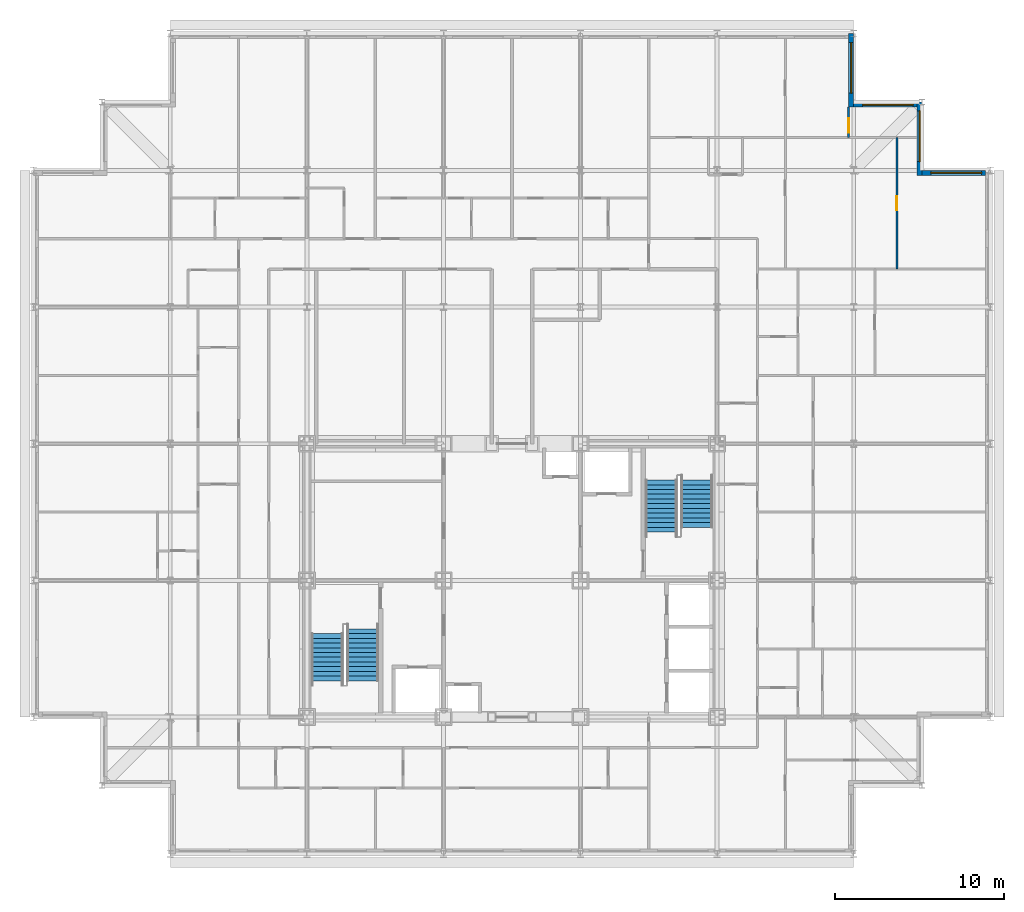
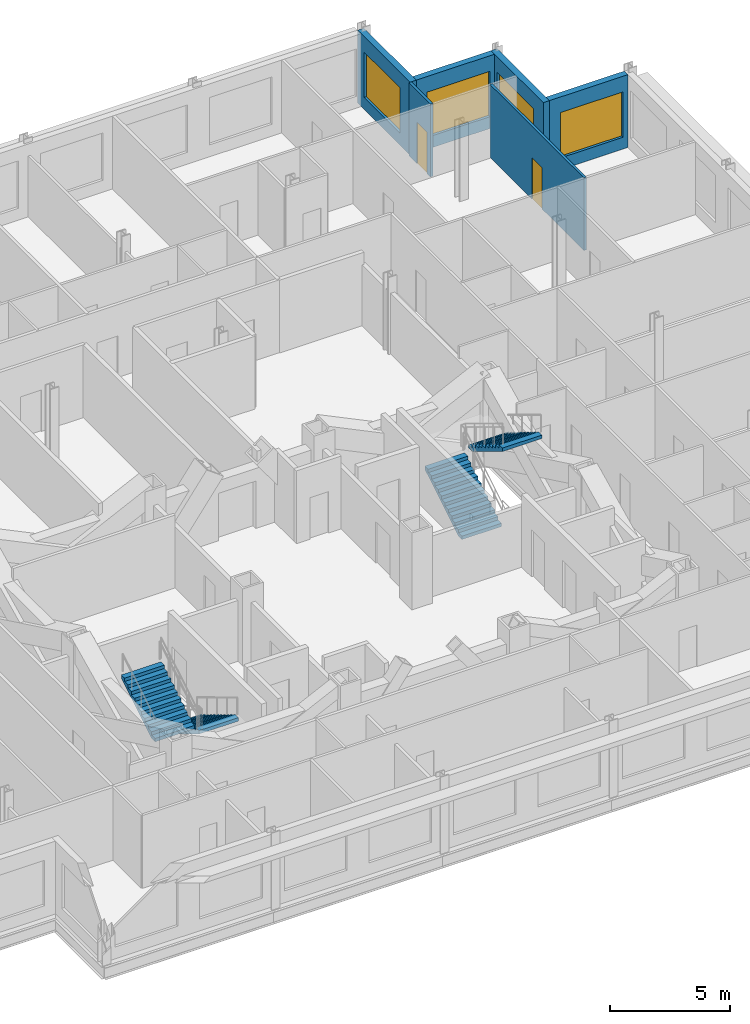
# One storey, part 14 of 15: 6 walls, 4 stair flights, 4 windows, 2 doors, 6 openings, 2 elements without a shape of their own.
"""IFC4 building model written with IfcOpenShell, lengths in metres."""

from ifc_helpers import new_model, si_unit, direction, frame, frame_2d, origin, place, context, subcontext, project, spatial, rectangle, extrude, polygons, source, transform, mapped, material, layer, layer_set, type_object, element, fill, aggregate, save


model = new_model("IFC4")

# Units and contexts
model_context = context("Model", 3, precision=1e-05, world=origin(), true_north=direction((0.0, 1.0)))
body_context = subcontext(model_context, "Body", "Model", "MODEL_VIEW")
ifc_project = project(units=[si_unit("LENGTHUNIT", "METRE"), si_unit("AREAUNIT", "SQUARE_METRE"), si_unit("VOLUMEUNIT", "CUBIC_METRE"), si_unit("PLANEANGLEUNIT", "RADIAN"), si_unit("MASSUNIT", "GRAM", prefix="KILO")], contexts=[model_context])

# Site, building, storey
site_placement = place(None, origin())
site = spatial("IfcSite", under=ifc_project, at=site_placement, CompositionType="ELEMENT")
building_placement = place(site_placement, origin())
building = spatial("IfcBuilding", under=site, at=building_placement, Name="Kopane Lantern Tower", CompositionType="ELEMENT")
storey_placement = place(building_placement, frame((0.0, 0.0, 273.60009765625)))
storey = spatial("IfcBuildingStorey", under=building, at=storey_placement, Name="L70", CompositionType="ELEMENT", Elevation=273.60009765625)

# Wall, opening, door
ifc_material_1 = material(Name="Gypsum board on steel studs", Category="steel")
ifc_layer_1 = layer(ifc_material_1, 0.1201171875)
ifc_layer_set_1 = layer_set([ifc_layer_1], Name="APARTMENT INTERNAL WALL 120")
wall_type_1 = type_object("IfcWallType", Name="APARTMENT INTERNAL WALL 120", PredefinedType="PARTITIONING", material=ifc_layer_set_1)
wall_1_placement = place(storey_placement, frame((48.300048828125, 58.64990234375, 0.0), z_axis=(0.0, 0.0, 1.0), x_axis=(0.0, 1.0, 0.0)))
wall_1 = element("IfcWall", 1, at=wall_1_placement, inside=storey, type_object=wall_type_1, Name="Apartment Internal Wall 120 L70", PredefinedType="PARTITIONING", context=body_context, shape_type="SweptSolid", body=[
    extrude(rectangle(XDim=1.800048828125, YDim=0.1201171875, at=frame_2d((0.89990234375, 0.0))), origin(), (0.0, 0.0, 1.0), 3.68994140625),
])
opening_1_placement = place(wall_1_placement, frame((0.27490234375, 0.0, 0.0)))
opening_1 = element("IfcOpeningElement", 2, at=opening_1_placement, cuts=wall_1, Name="Opening L70-065", PredefinedType="OPENING", context=body_context, shape_type="SweptSolid", body=[
    extrude(rectangle(XDim=0.85009765625, YDim=2.10009765625, at=frame_2d((0.425048828125, 1.050048828125))), frame((0.0, 0.070068359375, 0.0), z_axis=(0.0, -1.0, 0.0), x_axis=(1.0, 0.0, 0.0)), (0.0, 0.0, 1.0), 0.14013671875),
])
ifc_material_2 = material(Name="Timber door set", Category="wood")
door_type = type_object("IfcDoorType", Name="DOOR D4 850x2100", OperationType="SINGLE_SWING_LEFT", PredefinedType="DOOR", material=ifc_material_2)
door_1_placement = place(opening_1_placement, origin())
door_1 = element("IfcDoor", 3, at=door_1_placement, inside=storey, type_object=door_type, Name="Door L70-065", OperationType="SINGLE_SWING_RIGHT", OverallHeight=2.10009765625, OverallWidth=0.85009765625, PredefinedType="DOOR", context=body_context, shape_type="SweptSolid", body=[
    extrude(rectangle(XDim=0.85009765625, YDim=2.10009765625, at=frame_2d((0.425048828125, 1.050048828125))), frame((0.0, 0.02490234375, 0.0), z_axis=(0.0, -1.0, 0.0), x_axis=(1.0, 0.0, 0.0)), (0.0, 0.0, 1.0), 0.050048828125),
])
fill(opening_1, door_1)

wall_2_placement = place(storey_placement, frame((51.14990234375, 50.85009765625, 0.0), z_axis=(0.0, 0.0, 1.0), x_axis=(0.0, 1.0, 0.0)))
wall_2 = element("IfcWall", 4, at=wall_2_placement, inside=storey, type_object=wall_type_1, Name="Apartment Internal Wall 120 L70", PredefinedType="PARTITIONING", context=body_context, shape_type="SweptSolid", body=[
    extrude(rectangle(XDim=7.7998046875, YDim=0.1201171875, at=frame_2d((3.89990234375, 0.0))), origin(), (0.0, 0.0, 1.0), 3.68994140625),
])
opening_2_placement = place(wall_2_placement, frame((3.47509765625, 0.0, 0.0)))
opening_2 = element("IfcOpeningElement", 5, at=opening_2_placement, cuts=wall_2, Name="Opening L70-072", PredefinedType="OPENING", context=body_context, shape_type="SweptSolid", body=[
    extrude(rectangle(XDim=0.85009765625, YDim=2.10009765625, at=frame_2d((0.425048828125, 1.050048828125))), frame((0.0, 0.070068359375, 0.0), z_axis=(0.0, -1.0, 0.0), x_axis=(1.0, 0.0, 0.0)), (0.0, 0.0, 1.0), 0.14013671875),
])
door_2_placement = place(opening_2_placement, origin())
door_2 = element("IfcDoor", 6, at=door_2_placement, inside=storey, type_object=door_type, Name="Door L70-072", OperationType="SINGLE_SWING_RIGHT", OverallHeight=2.10009765625, OverallWidth=0.85009765625, PredefinedType="DOOR", context=body_context, shape_type="SweptSolid", body=[
    extrude(rectangle(XDim=0.85009765625, YDim=2.10009765625, at=frame_2d((0.425048828125, 1.050048828125))), frame((0.0, 0.02490234375, 0.0), z_axis=(0.0, -1.0, 0.0), x_axis=(1.0, 0.0, 0.0)), (0.0, 0.0, 1.0), 0.050048828125),
])
fill(opening_2, door_2)

# Wall, opening, window
ifc_material_3 = material(Name="Terracotta rainscreen on light steel framing", Category="masonry")
ifc_layer_2 = layer(ifc_material_3, 0.300048828125)
ifc_layer_set_2 = layer_set([ifc_layer_2], Name="EXTERNAL WALL EW1 300 TERRACOTTA")
wall_type_2 = type_object("IfcWallType", Name="EXTERNAL WALL EW1 300 TERRACOTTA", PredefinedType="SOLIDWALL", material=ifc_layer_set_2)
wall_3_placement = place(storey_placement, frame((56.39990234375, 56.550048828125, 0.0), z_axis=(0.0, 0.0, 1.0), x_axis=(-1.0, 0.0, 0.0)))
wall_3 = element("IfcWall", 7, at=wall_3_placement, inside=storey, type_object=wall_type_2, Name="External wall N L70", PredefinedType="SOLIDWALL", context=body_context, shape_type="SweptSolid", body=[
    extrude(rectangle(XDim=3.75, YDim=0.300048828125, at=frame_2d((1.875, 0.0))), origin(), (0.0, 0.0, 1.0), 3.68994140625),
])
opening_3_placement = place(wall_3_placement, frame((0.22509765625, 0.0, 0.60009765625)))
opening_3 = element("IfcOpeningElement", 8, at=opening_3_placement, cuts=wall_3, Name="Opening WR300230", PredefinedType="OPENING", context=body_context, shape_type="SweptSolid", body=[
    extrude(rectangle(XDim=3.0, YDim=2.300048828125, at=frame_2d((1.5, 1.14990234375))), frame((0.0, 0.159912109375, 0.0), z_axis=(0.0, -1.0, 0.0), x_axis=(1.0, 0.0, 0.0)), (0.0, 0.0, 1.0), 0.320068359375),
])
ifc_material_4 = material(Name="Aluminium and clear glass", Category="aluminium")
window_type = type_object("IfcWindowType", Name="RIBBON WINDOW WR300230 3000x2300", PartitioningType="SINGLE_PANEL", PredefinedType="WINDOW", material=ifc_material_4)
window_1_placement = place(opening_3_placement, origin())
window_1 = element("IfcWindow", 9, at=window_1_placement, inside=storey, type_object=window_type, Name="Window N L70", OverallHeight=2.300048828125, OverallWidth=3.0, PartitioningType="SINGLE_PANEL", PredefinedType="WINDOW", context=body_context, shape_type="SweptSolid", body=[
    extrude(rectangle(XDim=3.0, YDim=2.300048828125, at=frame_2d((1.5, 1.14990234375))), frame((0.0, 0.030029296875, 0.0), z_axis=(0.0, -1.0, 0.0), x_axis=(1.0, 0.0, 0.0)), (0.0, 0.0, 1.0), 0.06005859375),
])
fill(opening_3, window_1)

wall_4_placement = place(storey_placement, frame((52.5, 56.39990234375, 0.0), z_axis=(0.0, 0.0, 1.0), x_axis=(0.0, 1.0, 0.0)))
wall_4 = element("IfcWall", 10, at=wall_4_placement, inside=storey, type_object=wall_type_2, Name="External wall E L70", PredefinedType="SOLIDWALL", context=body_context, shape_type="SweptSolid", body=[
    extrude(rectangle(XDim=4.35009765625, YDim=0.300048828125, at=frame_2d((2.175048828125, 0.0))), origin(), (0.0, 0.0, 1.0), 3.68994140625),
])
opening_4_placement = place(wall_4_placement, frame((0.824951171875, 0.0, 0.60009765625)))
opening_4 = element("IfcOpeningElement", 11, at=opening_4_placement, cuts=wall_4, Name="Opening WR300230", PredefinedType="OPENING", context=body_context, shape_type="SweptSolid", body=[
    extrude(rectangle(XDim=3.0, YDim=2.300048828125, at=frame_2d((1.5, 1.14990234375))), frame((0.0, 0.159912109375, 0.0), z_axis=(0.0, -1.0, 0.0), x_axis=(1.0, 0.0, 0.0)), (0.0, 0.0, 1.0), 0.320068359375),
])
window_2_placement = place(opening_4_placement, origin())
window_2 = element("IfcWindow", 12, at=window_2_placement, inside=storey, type_object=window_type, Name="Window E L70", OverallHeight=2.300048828125, OverallWidth=3.0, PartitioningType="SINGLE_PANEL", PredefinedType="WINDOW", context=body_context, shape_type="SweptSolid", body=[
    extrude(rectangle(XDim=3.0, YDim=2.300048828125, at=frame_2d((1.5, 1.14990234375))), frame((0.0, 0.030029296875, 0.0), z_axis=(0.0, -1.0, 0.0), x_axis=(1.0, 0.0, 0.0)), (0.0, 0.0, 1.0), 0.06005859375),
])
fill(opening_4, window_2)

wall_5_placement = place(storey_placement, frame((52.35009765625, 60.60009765625, 0.0), z_axis=(0.0, 0.0, 1.0), x_axis=(-1.0, 0.0, 0.0)))
wall_5 = element("IfcWall", 13, at=wall_5_placement, inside=storey, type_object=wall_type_2, Name="External wall N L70", PredefinedType="SOLIDWALL", context=body_context, shape_type="SweptSolid", body=[
    extrude(rectangle(XDim=3.75, YDim=0.300048828125, at=frame_2d((1.875, 0.0))), origin(), (0.0, 0.0, 1.0), 3.68994140625),
])
opening_5_placement = place(wall_5_placement, frame((0.22509765625, 0.0, 0.60009765625)))
opening_5 = element("IfcOpeningElement", 14, at=opening_5_placement, cuts=wall_5, Name="Opening WR300230", PredefinedType="OPENING", context=body_context, shape_type="SweptSolid", body=[
    extrude(rectangle(XDim=3.0, YDim=2.300048828125, at=frame_2d((1.5, 1.14990234375))), frame((0.0, 0.159912109375, 0.0), z_axis=(0.0, -1.0, 0.0), x_axis=(1.0, 0.0, 0.0)), (0.0, 0.0, 1.0), 0.320068359375),
])
window_3_placement = place(opening_5_placement, origin())
window_3 = element("IfcWindow", 15, at=window_3_placement, inside=storey, type_object=window_type, Name="Window N L70", OverallHeight=2.300048828125, OverallWidth=3.0, PartitioningType="SINGLE_PANEL", PredefinedType="WINDOW", context=body_context, shape_type="SweptSolid", body=[
    extrude(rectangle(XDim=3.0, YDim=2.300048828125, at=frame_2d((1.5, 1.14990234375))), frame((0.0, 0.030029296875, 0.0), z_axis=(0.0, -1.0, 0.0), x_axis=(1.0, 0.0, 0.0)), (0.0, 0.0, 1.0), 0.06005859375),
])
fill(opening_5, window_3)

wall_6_placement = place(storey_placement, frame((48.449951171875, 60.449951171875, 0.0), z_axis=(0.0, 0.0, 1.0), x_axis=(0.0, 1.0, 0.0)))
wall_6 = element("IfcWall", 16, at=wall_6_placement, inside=storey, type_object=wall_type_2, Name="External wall E L70", PredefinedType="SOLIDWALL", context=body_context, shape_type="SweptSolid", body=[
    extrude(rectangle(XDim=4.35009765625, YDim=0.300048828125, at=frame_2d((2.175048828125, 0.0))), origin(), (0.0, 0.0, 1.0), 3.68994140625),
])
opening_6_placement = place(wall_6_placement, frame((0.824951171875, 0.0, 0.60009765625)))
opening_6 = element("IfcOpeningElement", 17, at=opening_6_placement, cuts=wall_6, Name="Opening WR300230", PredefinedType="OPENING", context=body_context, shape_type="SweptSolid", body=[
    extrude(rectangle(XDim=3.0, YDim=2.300048828125, at=frame_2d((1.5, 1.14990234375))), frame((0.0, 0.159912109375, 0.0), z_axis=(0.0, -1.0, 0.0), x_axis=(1.0, 0.0, 0.0)), (0.0, 0.0, 1.0), 0.320068359375),
])
window_4_placement = place(opening_6_placement, origin())
window_4 = element("IfcWindow", 18, at=window_4_placement, inside=storey, type_object=window_type, Name="Window E L70", OverallHeight=2.300048828125, OverallWidth=3.0, PartitioningType="SINGLE_PANEL", PredefinedType="WINDOW", context=body_context, shape_type="SweptSolid", body=[
    extrude(rectangle(XDim=3.0, YDim=2.300048828125, at=frame_2d((1.5, 1.14990234375))), frame((0.0, 0.030029296875, 0.0), z_axis=(0.0, -1.0, 0.0), x_axis=(1.0, 0.0, 0.0)), (0.0, 0.0, 1.0), 0.06005859375),
])
fill(opening_6, window_4)

# Stair, stair flight
ifc_material_5 = material(Name="Steel S355JR", Category="steel")
stair_type = type_object("IfcStairType", Name="EXIT STAIR 1900 HALF TURN", PredefinedType="HALF_TURN_STAIR", material=ifc_material_5)
stair_1_placement = place(storey_placement, origin())
stair_1 = element("IfcStair", 19, at=stair_1_placement, inside=storey, type_object=stair_type, Name="Exit stair ST1 L70", PredefinedType="HALF_TURN_STAIR")
ifc_material_6 = material(Name="Steel S355JR", Category="steel")
stair_flight_type = type_object("IfcStairFlightType", Name="STAIR FLIGHT 1900 STEEL", PredefinedType="STRAIGHT", material=ifc_material_6)
shared_shape_1 = source(origin(), body_context, "Body", "Tessellation", [
    polygons([(3.080078125, 0.949951172, 1.865234375), (2.800048828, 0.949951172, 1.865234375), (2.800048828, -0.949951172, 1.865234375), (3.080078125, -0.949951172, 1.865234375), (0.289306641, 0.949951172, 0.0), (3.080078125, 0.949951172, 1.689941406), (3.080078125, -0.949951172, 1.689941406), (0.289306641, -0.949951172, 0.0), (0.0, 0.949951172, 0.0), (0.0, -0.949951172, 0.0), (0.280029297, 0.949951172, 0.169677734), (0.0, 0.949951172, 0.169677734), (0.0, -0.949951172, 0.169677734), (0.280029297, -0.949951172, 0.169677734), (0.280029297, 0.949951172, 0.339111328), (0.280029297, -0.949951172, 0.339111328), (0.560058594, 0.949951172, 0.339111328), (0.560058594, -0.949951172, 0.339111328), (0.560058594, 0.949951172, 0.508789062), (0.560058594, -0.949951172, 0.508789062), (0.840087891, 0.949951172, 0.508789062), (0.840087891, -0.949951172, 0.508789062), (0.840087891, 0.949951172, 0.678222656), (0.840087891, -0.949951172, 0.678222656), (1.120117188, 0.949951172, 0.678222656), (1.120117188, -0.949951172, 0.678222656), (1.120117188, 0.949951172, 0.847900391), (1.120117188, -0.949951172, 0.847900391), (1.399902344, 0.949951172, 0.847900391), (1.399902344, -0.949951172, 0.847900391), (1.399902344, 0.949951172, 1.017333984), (1.399902344, -0.949951172, 1.017333984), (1.679931641, 0.949951172, 1.017333984), (1.679931641, -0.949951172, 1.017333984), (1.679931641, 0.949951172, 1.187011719), (1.679931641, -0.949951172, 1.187011719), (1.959960938, 0.949951172, 1.187011719), (1.959960938, -0.949951172, 1.187011719), (1.959960938, 0.949951172, 1.356445312), (1.959960938, -0.949951172, 1.356445312), (2.239990234, 0.949951172, 1.356445312), (2.239990234, -0.949951172, 1.356445312), (2.239990234, 0.949951172, 1.526123047), (2.239990234, -0.949951172, 1.526123047), (2.520019531, 0.949951172, 1.526123047), (2.520019531, -0.949951172, 1.526123047), (2.520019531, 0.949951172, 1.695556641), (2.520019531, -0.949951172, 1.695556641), (2.800048828, 0.949951172, 1.695556641), (2.800048828, -0.949951172, 1.695556641), (0.0, 0.0, 0.004585885), (0.0, 0.0, 0.009171769), (0.0, 0.0, 0.013757654), (0.0, 0.0, 0.018343539), (0.0, 0.0, 0.022929424), (0.0, 0.0, 0.027515308), (0.0, 0.0, 0.032101193), (0.0, 0.0, 0.036687078), (0.0, 0.0, 0.041272962), (0.0, 0.0, 0.045858847), (0.0, 0.0, 0.050444732), (0.0, 0.0, 0.055030617), (0.0, 0.0, 0.059616501), (0.0, 0.0, 0.064202386), (0.0, 0.0, 0.068788271), (0.0, 0.0, 0.073374155), (0.0, 0.0, 0.07796004), (0.0, 0.0, 0.082545925), (0.0, 0.0, 0.08713181), (0.0, 0.0, 0.091717694), (0.0, 0.0, 0.096303579), (0.0, 0.0, 0.100889464), (0.0, 0.0, 0.105475348), (0.0, 0.0, 0.110061233), (0.0, 0.0, 0.114647118), (0.0, 0.0, 0.119233003), (0.0, 0.0, 0.123818887), (0.0, 0.0, 0.128404772), (0.0, 0.0, 0.132990657), (0.0, 0.0, 0.137576541), (0.0, 0.0, 0.142162426), (0.0, 0.0, 0.146748311), (0.0, 0.0, 0.151334196), (0.0, 0.0, 0.15592008), (0.0, 0.0, 0.160505965), (0.0, 0.0, 0.16509185), (3.080078125, 0.0, 1.694679054), (3.080078125, 0.0, 1.699416702), (3.080078125, 0.0, 1.70415435), (3.080078125, 0.0, 1.708891997), (3.080078125, 0.0, 1.713629645), (3.080078125, 0.0, 1.718367293), (3.080078125, 0.0, 1.723104941), (3.080078125, 0.0, 1.727842589), (3.080078125, 0.0, 1.732580236), (3.080078125, 0.0, 1.737317884), (3.080078125, 0.0, 1.742055532), (3.080078125, 0.0, 1.74679318), (3.080078125, 0.0, 1.751530828), (3.080078125, 0.0, 1.756268476), (3.080078125, 0.0, 1.761006123), (3.080078125, 0.0, 1.765743771), (3.080078125, 0.0, 1.770481419), (3.080078125, 0.0, 1.775219067), (3.080078125, 0.0, 1.779956715), (3.080078125, 0.0, 1.784694362), (3.080078125, 0.0, 1.78943201), (3.080078125, 0.0, 1.794169658), (3.080078125, 0.0, 1.798907306), (3.080078125, 0.0, 1.803644954), (3.080078125, 0.0, 1.808382601), (3.080078125, 0.0, 1.813120249), (3.080078125, 0.0, 1.817857897), (3.080078125, 0.0, 1.822595545), (3.080078125, 0.0, 1.827333193), (3.080078125, 0.0, 1.83207084), (3.080078125, 0.0, 1.836808488), (3.080078125, 0.0, 1.841546136), (3.080078125, 0.0, 1.846283784), (3.080078125, 0.0, 1.851021432), (3.080078125, 0.0, 1.855759079), (3.080078125, 0.0, 1.860496727)], [[[1, 2, 3]], [[1, 3, 4]], [[5, 6, 7]], [[5, 7, 8]], [[9, 5, 8]], [[9, 8, 10]], [[11, 12, 13]], [[11, 13, 14]], [[15, 11, 14]], [[15, 14, 16]], [[17, 15, 16]], [[17, 16, 18]], [[19, 17, 18]], [[19, 18, 20]], [[21, 19, 20]], [[21, 20, 22]], [[23, 21, 22]], [[23, 22, 24]], [[25, 23, 24]], [[25, 24, 26]], [[27, 25, 26]], [[27, 26, 28]], [[29, 27, 28]], [[29, 28, 30]], [[31, 29, 30]], [[31, 30, 32]], [[33, 31, 32]], [[33, 32, 34]], [[35, 33, 34]], [[35, 34, 36]], [[37, 35, 36]], [[37, 36, 38]], [[39, 37, 38]], [[39, 38, 40]], [[41, 39, 40]], [[41, 40, 42]], [[43, 41, 42]], [[43, 42, 44]], [[45, 43, 44]], [[45, 44, 46]], [[47, 45, 46]], [[47, 46, 48]], [[49, 47, 48]], [[49, 48, 50]], [[2, 49, 50]], [[2, 50, 3]], [[49, 1, 6]], [[45, 49, 6]], [[2, 1, 49]], [[41, 45, 6]], [[47, 49, 45]], [[37, 41, 6]], [[43, 45, 41]], [[39, 41, 37]], [[35, 37, 33]], [[31, 33, 29]], [[5, 21, 25]], [[27, 29, 25]], [[17, 21, 5]], [[23, 25, 21]], [[11, 17, 5]], [[19, 21, 17]], [[9, 11, 5]], [[15, 17, 11]], [[12, 11, 9]], [[6, 5, 25]], [[6, 25, 29]], [[6, 29, 33]], [[6, 33, 37]], [[7, 4, 50]], [[7, 50, 46]], [[50, 4, 3]], [[7, 46, 42]], [[46, 50, 48]], [[7, 42, 38]], [[42, 46, 44]], [[38, 42, 40]], [[34, 38, 36]], [[30, 34, 32]], [[26, 22, 8]], [[26, 30, 28]], [[8, 22, 18]], [[22, 26, 24]], [[8, 18, 14]], [[18, 22, 20]], [[8, 14, 10]], [[14, 18, 16]], [[10, 14, 13]], [[26, 8, 7]], [[30, 26, 7]], [[34, 30, 7]], [[38, 34, 7]], [[10, 51, 9]], [[10, 52, 51]], [[9, 51, 52]], [[10, 53, 52]], [[9, 52, 53]], [[10, 54, 53]], [[9, 53, 54]], [[10, 55, 54]], [[9, 54, 55]], [[10, 56, 55]], [[9, 55, 56]], [[10, 57, 56]], [[9, 56, 57]], [[10, 58, 57]], [[9, 57, 58]], [[10, 59, 58]], [[9, 58, 59]], [[10, 60, 59]], [[9, 59, 60]], [[10, 61, 60]], [[9, 60, 61]], [[10, 62, 61]], [[9, 61, 62]], [[10, 63, 62]], [[9, 62, 63]], [[10, 64, 63]], [[9, 63, 64]], [[10, 65, 64]], [[9, 64, 65]], [[10, 66, 65]], [[9, 65, 66]], [[10, 67, 66]], [[9, 66, 67]], [[10, 68, 67]], [[9, 67, 68]], [[10, 69, 68]], [[9, 68, 69]], [[10, 70, 69]], [[9, 69, 70]], [[10, 71, 70]], [[9, 70, 71]], [[10, 72, 71]], [[9, 71, 72]], [[10, 73, 72]], [[9, 72, 73]], [[10, 74, 73]], [[9, 73, 74]], [[10, 75, 74]], [[9, 74, 75]], [[10, 76, 75]], [[9, 75, 76]], [[10, 77, 76]], [[9, 76, 77]], [[10, 78, 77]], [[9, 77, 78]], [[10, 79, 78]], [[9, 78, 79]], [[10, 80, 79]], [[9, 79, 80]], [[10, 81, 80]], [[9, 80, 81]], [[10, 82, 81]], [[9, 81, 82]], [[10, 83, 82]], [[9, 82, 83]], [[10, 84, 83]], [[9, 83, 84]], [[10, 85, 84]], [[9, 84, 85]], [[10, 86, 85]], [[9, 85, 86]], [[10, 13, 86]], [[86, 13, 12]], [[9, 86, 12]], [[7, 6, 87]], [[7, 87, 88]], [[6, 88, 87]], [[7, 88, 89]], [[6, 89, 88]], [[7, 89, 90]], [[6, 90, 89]], [[7, 90, 91]], [[6, 91, 90]], [[7, 91, 92]], [[6, 92, 91]], [[7, 92, 93]], [[6, 93, 92]], [[7, 93, 94]], [[6, 94, 93]], [[7, 94, 95]], [[6, 95, 94]], [[7, 95, 96]], [[6, 96, 95]], [[7, 96, 97]], [[6, 97, 96]], [[7, 97, 98]], [[6, 98, 97]], [[7, 98, 99]], [[6, 99, 98]], [[7, 99, 100]], [[6, 100, 99]], [[7, 100, 101]], [[6, 101, 100]], [[7, 101, 102]], [[6, 102, 101]], [[7, 102, 103]], [[6, 103, 102]], [[7, 103, 104]], [[6, 104, 103]], [[7, 104, 105]], [[6, 105, 104]], [[7, 105, 106]], [[6, 106, 105]], [[7, 106, 107]], [[6, 107, 106]], [[7, 107, 108]], [[6, 108, 107]], [[7, 108, 109]], [[6, 109, 108]], [[7, 109, 110]], [[6, 110, 109]], [[7, 110, 111]], [[6, 111, 110]], [[7, 111, 112]], [[6, 112, 111]], [[7, 112, 113]], [[6, 113, 112]], [[7, 113, 114]], [[6, 114, 113]], [[7, 114, 115]], [[6, 115, 114]], [[7, 115, 116]], [[6, 116, 115]], [[7, 116, 117]], [[6, 117, 116]], [[7, 117, 118]], [[6, 118, 117]], [[7, 118, 119]], [[6, 119, 118]], [[7, 119, 120]], [[6, 120, 119]], [[7, 120, 121]], [[6, 121, 120]], [[7, 121, 122]], [[6, 122, 121]], [[7, 122, 4]], [[122, 1, 4]], [[6, 1, 122]]], closed=True),
])
stair_flight_1_placement = place(storey_placement, frame((19.5, 29.530029296875, 0.0), z_axis=(0.0, 0.0, 1.0), x_axis=(0.0, -1.0, 0.0)))
stair_flight_1 = element("IfcStairFlight", 20, at=stair_flight_1_placement, type_object=stair_flight_type, Name="ST1 flight 1", NumberOfRisers=12, NumberOfTreads=11, PredefinedType="STRAIGHT", RiserHeight=0.169565217, TreadLength=0.28, context=body_context, shape_type="MappedRepresentation", body=[
    mapped(shared_shape_1, transform((0.0, 0.0, 0.0))),
])

stair_2_placement = place(storey_placement, origin())
stair_2 = element("IfcStair", 21, at=stair_2_placement, inside=storey, type_object=stair_type, Name="Exit stair ST2 L70", PredefinedType="HALF_TURN_STAIR")
stair_flight_2_placement = place(storey_placement, frame((37.199951171875, 35.27001953125, 0.0), z_axis=(0.0, 0.0, 1.0), x_axis=(0.0, 1.0, 0.0)))
stair_flight_2 = element("IfcStairFlight", 22, at=stair_flight_2_placement, type_object=stair_flight_type, Name="ST2 flight 1", NumberOfRisers=12, NumberOfTreads=11, PredefinedType="STRAIGHT", RiserHeight=0.169565217, TreadLength=0.28, context=body_context, shape_type="MappedRepresentation", body=[
    mapped(shared_shape_1, transform((0.0, 0.0, 0.0))),
])

# Stair flight
shared_shape_2 = source(origin(), body_context, "Body", "Tessellation", [
    polygons([(2.800048828, 0.949951172, 1.695556641), (2.520019531, 0.949951172, 1.695556641), (2.520019531, -0.949951172, 1.695556641), (2.800048828, -0.949951172, 1.695556641), (0.289306641, 0.949951172, 0.0), (2.800048828, 0.949951172, 1.520507812), (2.800048828, -0.949951172, 1.520507812), (0.289306641, -0.949951172, 0.0), (0.0, 0.949951172, 0.0), (0.0, -0.949951172, 0.0), (0.280029297, 0.949951172, 0.169677734), (0.0, 0.949951172, 0.169677734), (0.0, -0.949951172, 0.169677734), (0.280029297, -0.949951172, 0.169677734), (0.280029297, 0.949951172, 0.339111328), (0.280029297, -0.949951172, 0.339111328), (0.560058594, 0.949951172, 0.339111328), (0.560058594, -0.949951172, 0.339111328), (0.560058594, 0.949951172, 0.508789062), (0.560058594, -0.949951172, 0.508789062), (0.840087891, 0.949951172, 0.508789062), (0.840087891, -0.949951172, 0.508789062), (0.840087891, 0.949951172, 0.678222656), (0.840087891, -0.949951172, 0.678222656), (1.120117188, 0.949951172, 0.678222656), (1.120117188, -0.949951172, 0.678222656), (1.120117188, 0.949951172, 0.847900391), (1.120117188, -0.949951172, 0.847900391), (1.399902344, 0.949951172, 0.847900391), (1.399902344, -0.949951172, 0.847900391), (1.399902344, 0.949951172, 1.017333984), (1.399902344, -0.949951172, 1.017333984), (1.679931641, 0.949951172, 1.017333984), (1.679931641, -0.949951172, 1.017333984), (1.679931641, 0.949951172, 1.187011719), (1.679931641, -0.949951172, 1.187011719), (1.959960938, 0.949951172, 1.187011719), (1.959960938, -0.949951172, 1.187011719), (1.959960938, 0.949951172, 1.356445312), (1.959960938, -0.949951172, 1.356445312), (2.239990234, 0.949951172, 1.356445312), (2.239990234, -0.949951172, 1.356445312), (2.239990234, 0.949951172, 1.526123047), (2.239990234, -0.949951172, 1.526123047), (2.520019531, 0.949951172, 1.526123047), (2.520019531, -0.949951172, 1.526123047), (0.0, 0.0, 0.004585885), (0.0, 0.0, 0.009171769), (0.0, 0.0, 0.013757654), (0.0, 0.0, 0.018343539), (0.0, 0.0, 0.022929424), (0.0, 0.0, 0.027515308), (0.0, 0.0, 0.032101193), (0.0, 0.0, 0.036687078), (0.0, 0.0, 0.041272962), (0.0, 0.0, 0.045858847), (0.0, 0.0, 0.050444732), (0.0, 0.0, 0.055030617), (0.0, 0.0, 0.059616501), (0.0, 0.0, 0.064202386), (0.0, 0.0, 0.068788271), (0.0, 0.0, 0.073374155), (0.0, 0.0, 0.07796004), (0.0, 0.0, 0.082545925), (0.0, 0.0, 0.08713181), (0.0, 0.0, 0.091717694), (0.0, 0.0, 0.096303579), (0.0, 0.0, 0.100889464), (0.0, 0.0, 0.105475348), (0.0, 0.0, 0.110061233), (0.0, 0.0, 0.114647118), (0.0, 0.0, 0.119233003), (0.0, 0.0, 0.123818887), (0.0, 0.0, 0.128404772), (0.0, 0.0, 0.132990657), (0.0, 0.0, 0.137576541), (0.0, 0.0, 0.142162426), (0.0, 0.0, 0.146748311), (0.0, 0.0, 0.151334196), (0.0, 0.0, 0.15592008), (0.0, 0.0, 0.160505965), (0.0, 0.0, 0.16509185), (2.800048828, 0.0, 1.525238862), (2.800048828, 0.0, 1.529969911), (2.800048828, 0.0, 1.534700961), (2.800048828, 0.0, 1.53943201), (2.800048828, 0.0, 1.54416306), (2.800048828, 0.0, 1.548894109), (2.800048828, 0.0, 1.553625158), (2.800048828, 0.0, 1.558356208), (2.800048828, 0.0, 1.563087257), (2.800048828, 0.0, 1.567818307), (2.800048828, 0.0, 1.572549356), (2.800048828, 0.0, 1.577280405), (2.800048828, 0.0, 1.582011455), (2.800048828, 0.0, 1.586742504), (2.800048828, 0.0, 1.591473554), (2.800048828, 0.0, 1.596204603), (2.800048828, 0.0, 1.600935652), (2.800048828, 0.0, 1.605666702), (2.800048828, 0.0, 1.610397751), (2.800048828, 0.0, 1.615128801), (2.800048828, 0.0, 1.61985985), (2.800048828, 0.0, 1.624590899), (2.800048828, 0.0, 1.629321949), (2.800048828, 0.0, 1.634052998), (2.800048828, 0.0, 1.638784048), (2.800048828, 0.0, 1.643515097), (2.800048828, 0.0, 1.648246147), (2.800048828, 0.0, 1.652977196), (2.800048828, 0.0, 1.657708245), (2.800048828, 0.0, 1.662439295), (2.800048828, 0.0, 1.667170344), (2.800048828, 0.0, 1.671901394), (2.800048828, 0.0, 1.676632443), (2.800048828, 0.0, 1.681363492), (2.800048828, 0.0, 1.686094542), (2.800048828, 0.0, 1.690825591)], [[[1, 2, 3]], [[1, 3, 4]], [[5, 6, 7]], [[5, 7, 8]], [[9, 5, 8]], [[9, 8, 10]], [[11, 12, 13]], [[11, 13, 14]], [[15, 11, 14]], [[15, 14, 16]], [[17, 15, 16]], [[17, 16, 18]], [[19, 17, 18]], [[19, 18, 20]], [[21, 19, 20]], [[21, 20, 22]], [[23, 21, 22]], [[23, 22, 24]], [[25, 23, 24]], [[25, 24, 26]], [[27, 25, 26]], [[27, 26, 28]], [[29, 27, 28]], [[29, 28, 30]], [[31, 29, 30]], [[31, 30, 32]], [[33, 31, 32]], [[33, 32, 34]], [[35, 33, 34]], [[35, 34, 36]], [[37, 35, 36]], [[37, 36, 38]], [[39, 37, 38]], [[39, 38, 40]], [[41, 39, 40]], [[41, 40, 42]], [[43, 41, 42]], [[43, 42, 44]], [[45, 43, 44]], [[45, 44, 46]], [[2, 45, 46]], [[2, 46, 3]], [[45, 1, 6]], [[41, 45, 6]], [[2, 1, 45]], [[37, 41, 6]], [[43, 45, 41]], [[39, 41, 37]], [[35, 37, 33]], [[31, 33, 29]], [[5, 21, 25]], [[27, 29, 25]], [[17, 21, 5]], [[23, 25, 21]], [[11, 17, 5]], [[19, 21, 17]], [[9, 11, 5]], [[15, 17, 11]], [[12, 11, 9]], [[6, 5, 25]], [[6, 25, 29]], [[6, 29, 33]], [[6, 33, 37]], [[7, 4, 46]], [[7, 46, 42]], [[46, 4, 3]], [[7, 42, 38]], [[42, 46, 44]], [[38, 42, 40]], [[34, 38, 36]], [[30, 34, 32]], [[26, 22, 8]], [[26, 30, 28]], [[8, 22, 18]], [[22, 26, 24]], [[8, 18, 14]], [[18, 22, 20]], [[8, 14, 10]], [[14, 18, 16]], [[10, 14, 13]], [[26, 8, 7]], [[30, 26, 7]], [[34, 30, 7]], [[38, 34, 7]], [[10, 47, 9]], [[10, 48, 47]], [[9, 47, 48]], [[10, 49, 48]], [[9, 48, 49]], [[10, 50, 49]], [[9, 49, 50]], [[10, 51, 50]], [[9, 50, 51]], [[10, 52, 51]], [[9, 51, 52]], [[10, 53, 52]], [[9, 52, 53]], [[10, 54, 53]], [[9, 53, 54]], [[10, 55, 54]], [[9, 54, 55]], [[10, 56, 55]], [[9, 55, 56]], [[10, 57, 56]], [[9, 56, 57]], [[10, 58, 57]], [[9, 57, 58]], [[10, 59, 58]], [[9, 58, 59]], [[10, 60, 59]], [[9, 59, 60]], [[10, 61, 60]], [[9, 60, 61]], [[10, 62, 61]], [[9, 61, 62]], [[10, 63, 62]], [[9, 62, 63]], [[10, 64, 63]], [[9, 63, 64]], [[10, 65, 64]], [[9, 64, 65]], [[10, 66, 65]], [[9, 65, 66]], [[10, 67, 66]], [[9, 66, 67]], [[10, 68, 67]], [[9, 67, 68]], [[10, 69, 68]], [[9, 68, 69]], [[10, 70, 69]], [[9, 69, 70]], [[10, 71, 70]], [[9, 70, 71]], [[10, 72, 71]], [[9, 71, 72]], [[10, 73, 72]], [[9, 72, 73]], [[10, 74, 73]], [[9, 73, 74]], [[10, 75, 74]], [[9, 74, 75]], [[10, 76, 75]], [[9, 75, 76]], [[10, 77, 76]], [[9, 76, 77]], [[10, 78, 77]], [[9, 77, 78]], [[10, 79, 78]], [[9, 78, 79]], [[10, 80, 79]], [[9, 79, 80]], [[10, 81, 80]], [[9, 80, 81]], [[10, 82, 81]], [[9, 81, 82]], [[10, 13, 82]], [[82, 13, 12]], [[9, 82, 12]], [[7, 6, 83]], [[7, 83, 84]], [[6, 84, 83]], [[7, 84, 85]], [[6, 85, 84]], [[7, 85, 86]], [[6, 86, 85]], [[7, 86, 87]], [[6, 87, 86]], [[7, 87, 88]], [[6, 88, 87]], [[7, 88, 89]], [[6, 89, 88]], [[7, 89, 90]], [[6, 90, 89]], [[7, 90, 91]], [[6, 91, 90]], [[7, 91, 92]], [[6, 92, 91]], [[7, 92, 93]], [[6, 93, 92]], [[7, 93, 94]], [[6, 94, 93]], [[7, 94, 95]], [[6, 95, 94]], [[7, 95, 96]], [[6, 96, 95]], [[7, 96, 97]], [[6, 97, 96]], [[7, 97, 98]], [[6, 98, 97]], [[7, 98, 99]], [[6, 99, 98]], [[7, 99, 100]], [[6, 100, 99]], [[7, 100, 101]], [[6, 101, 100]], [[7, 101, 102]], [[6, 102, 101]], [[7, 102, 103]], [[6, 103, 102]], [[7, 103, 104]], [[6, 104, 103]], [[7, 104, 105]], [[6, 105, 104]], [[7, 105, 106]], [[6, 106, 105]], [[7, 106, 107]], [[6, 107, 106]], [[7, 107, 108]], [[6, 108, 107]], [[7, 108, 109]], [[6, 109, 108]], [[7, 109, 110]], [[6, 110, 109]], [[7, 110, 111]], [[6, 111, 110]], [[7, 111, 112]], [[6, 112, 111]], [[7, 112, 113]], [[6, 113, 112]], [[7, 113, 114]], [[6, 114, 113]], [[7, 114, 115]], [[6, 115, 114]], [[7, 115, 116]], [[6, 116, 115]], [[7, 116, 117]], [[6, 117, 116]], [[7, 117, 118]], [[6, 118, 117]], [[7, 118, 4]], [[118, 1, 4]], [[6, 1, 118]]], closed=True),
])
stair_flight_3_placement = place(storey_placement, frame((17.39990234375, 26.449951171875, 2.03466796875), z_axis=(0.0, 0.0, 1.0), x_axis=(0.0, 1.0, 0.0)))
stair_flight_3 = element("IfcStairFlight", 23, at=stair_flight_3_placement, type_object=stair_flight_type, Name="ST1 flight 2", NumberOfRisers=11, NumberOfTreads=10, PredefinedType="STRAIGHT", RiserHeight=0.169565217, TreadLength=0.28, context=body_context, shape_type="MappedRepresentation", body=[
    mapped(shared_shape_2, transform((0.0, 0.0, 0.0))),
])

aggregate(stair_1, [stair_flight_1, stair_flight_3])

stair_flight_4_placement = place(storey_placement, frame((39.300048828125, 38.35009765625, 2.03466796875), z_axis=(0.0, 0.0, 1.0), x_axis=(0.0, -1.0, 0.0)))
stair_flight_4 = element("IfcStairFlight", 24, at=stair_flight_4_placement, type_object=stair_flight_type, Name="ST2 flight 2", NumberOfRisers=11, NumberOfTreads=10, PredefinedType="STRAIGHT", RiserHeight=0.169565217, TreadLength=0.28, context=body_context, shape_type="MappedRepresentation", body=[
    mapped(shared_shape_2, transform((0.0, 0.0, 0.0))),
])

aggregate(stair_2, [stair_flight_2, stair_flight_4])

save(model, "model.ifc")
